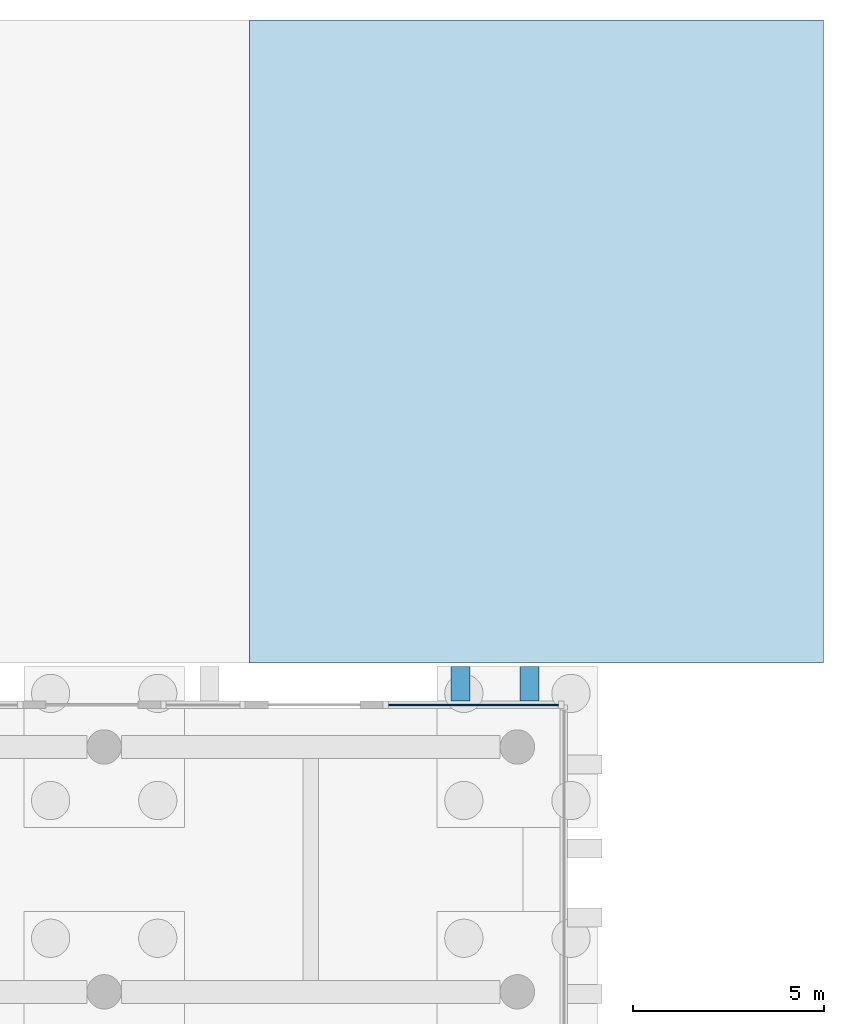
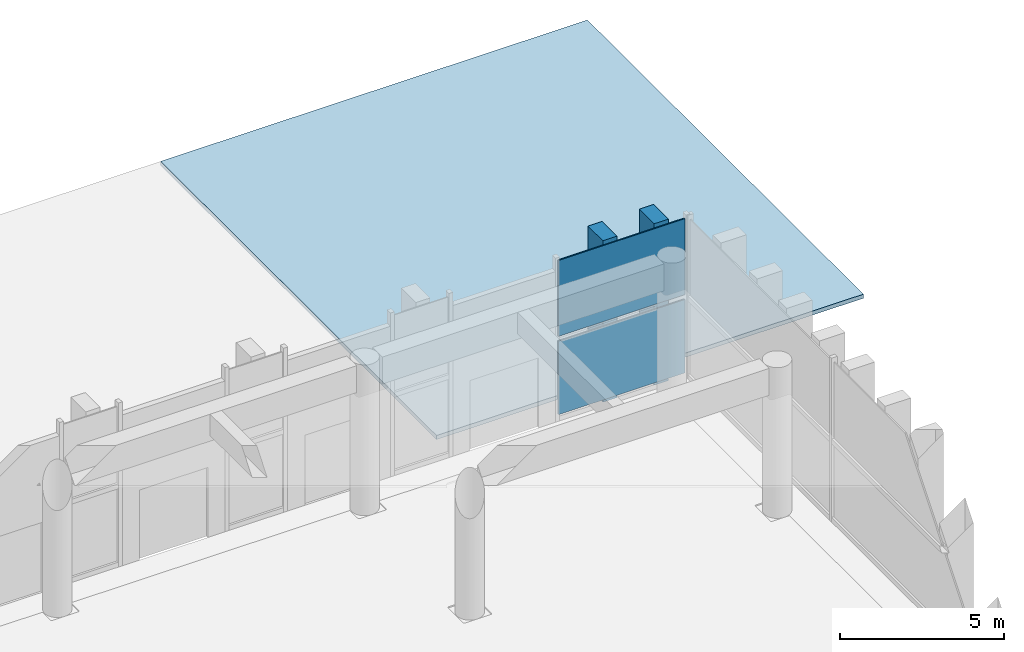
# One storey, part 15 of 32: 4 plates, 1 slab, 1 element without a shape of its own.
"""IFC4 building model written with IfcOpenShell, lengths in metres."""

from ifc_helpers import new_model, si_unit, direction, frame, origin, origin_2d, place, context, subcontext, project, spatial, polyline, rectangle, outline, extrude, material, layer, layer_set, type_object, element, aggregate, save


model = new_model("IFC4")

# Units and contexts
model_context = context("Model", 3, precision=1e-05, world=origin(), true_north=direction((0.0, 1.0)))
body_context = subcontext(model_context, "Body", "Model", "MODEL_VIEW")
ifc_project = project(units=[si_unit("LENGTHUNIT", "METRE"), si_unit("AREAUNIT", "SQUARE_METRE"), si_unit("VOLUMEUNIT", "CUBIC_METRE"), si_unit("PLANEANGLEUNIT", "RADIAN"), si_unit("MASSUNIT", "GRAM", prefix="KILO")], contexts=[model_context])

# Site, building, storey
site_placement = place(None, origin())
site = spatial("IfcSite", under=ifc_project, at=site_placement, CompositionType="ELEMENT")
building_placement = place(site_placement, origin())
building = spatial("IfcBuilding", under=site, at=building_placement, Name="Quipu Civic Tower", CompositionType="ELEMENT")
storey_placement = place(building_placement, origin())
storey = spatial("IfcBuildingStorey", under=building, at=storey_placement, Name="L00", CompositionType="ELEMENT", Elevation=0.0)

# Slab
ifc_material_1 = material(Name="Precast concrete paving C30/37", Category="concrete")
slab_type = type_object("IfcSlabType", Name="Forecourt paving", PredefinedType="USERDEFINED", material=ifc_material_1)
slab_placement = place(storey_placement, frame((0.0, 0.0, -0.14990234375)))
element("IfcSlab", 1, at=slab_placement, inside=storey, type_object=slab_type, Name="Forecourt paving 6", ObjectType="PAVING", PredefinedType="USERDEFINED", context=body_context, shape_type="SweptSolid", body=[
    extrude(outline(polyline([(62.0, 57.199951171875), (62.0, 74.0), (47.0, 74.0), (47.0, 57.199951171875), (62.0, 57.199951171875)])), origin(), (0.0, 0.0, 1.0), 0.14990234375),
])

# Curtain wall, plates
ifc_material_2 = material(Name="Insulated glass unit", Category="glass")
curtain_wall_type = type_object("IfcCurtainWallType", Name="Hall glazing CW2", PredefinedType="NOTDEFINED", material=ifc_material_2)
curtain_wall_placement = place(storey_placement, origin())
curtain_wall = element("IfcCurtainWall", 2, at=curtain_wall_placement, inside=storey, type_object=curtain_wall_type, Name="Hall glazing CW2 L00 run 5", PredefinedType="NOTDEFINED")
ifc_material_3 = material(Name="Insulated glass unit", Category="glass")
ifc_layer = layer(ifc_material_3, 0.0439453125)
ifc_layer_set = layer_set([ifc_layer], Name="Insulated glass unit")
plate_type_1 = type_object("IfcPlateType", Name="Glass panel CW2", PredefinedType="CURTAIN_PANEL", material=ifc_layer_set)
plate_1_placement = place(storey_placement, frame((52.852783203125, 56.10009765625, 0.179931640625), z_axis=(0.0, 0.0, 1.0), x_axis=(-1.0, 0.0, 0.0)))
plate_1 = element("IfcPlate", 3, at=plate_1_placement, type_object=plate_type_1, Name="CW2 panel 1.1", PredefinedType="CURTAIN_PANEL", context=body_context, shape_type="SweptSolid", body=[
    extrude(rectangle(XDim=4.443115234375, YDim=0.0439453125, at=origin_2d()), origin(), (0.0, 0.0, 1.0), 2.72998046875),
])
plate_2_placement = place(storey_placement, frame((52.852783203125, 56.10009765625, 3.08984375), z_axis=(0.0, 0.0, 1.0), x_axis=(-1.0, 0.0, 0.0)))
plate_2 = element("IfcPlate", 4, at=plate_2_placement, type_object=plate_type_1, Name="CW2 panel 1.2", PredefinedType="CURTAIN_PANEL", context=body_context, shape_type="SweptSolid", body=[
    extrude(rectangle(XDim=4.443115234375, YDim=0.0439453125, at=origin_2d()), origin(), (0.0, 0.0, 1.0), 2.820068359375),
])
aggregate(curtain_wall, [plate_1, plate_2])

# Plates
ifc_material_4 = material(Name="Precast concrete C40/50", Category="concrete")
plate_type_2 = type_object("IfcPlateType", Name="Precast fin F0", PredefinedType="SHEET", material=ifc_material_4)
for number, where, z_axis, x_axis, name in (
    (5, (54.314453125, 56.64990234375, 0.0), (0.0, 0.0, 1.0), (-1.0, 0.0, 0.0), "Precast fin F0 L00.5.1"),
    (6, (52.514404296875, 56.64990234375, 0.0), (0.0, 0.0, 1.0), (-1.0, 0.0, 0.0), "Precast fin F0 L00.5.2"),
):
    element("IfcPlate", number, at=place(storey_placement, frame(where, z_axis=z_axis, x_axis=x_axis)), inside=storey, type_object=plate_type_2, Name=name, PredefinedType="SHEET", context=body_context, shape_type="SweptSolid", body=[
        extrude(rectangle(XDim=0.5, YDim=0.89990234375, at=origin_2d()), origin(), (0.0, 0.0, 1.0), 6.0),
    ])

save(model, "model.ifc")
